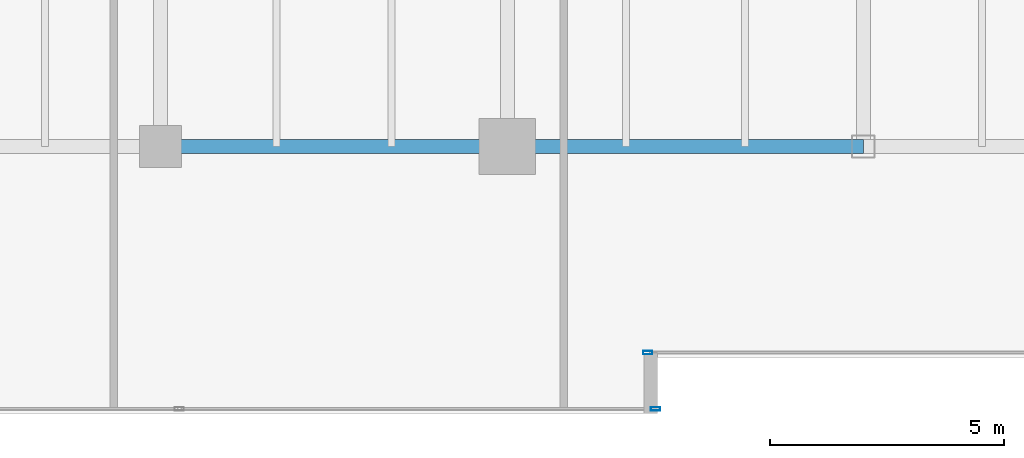
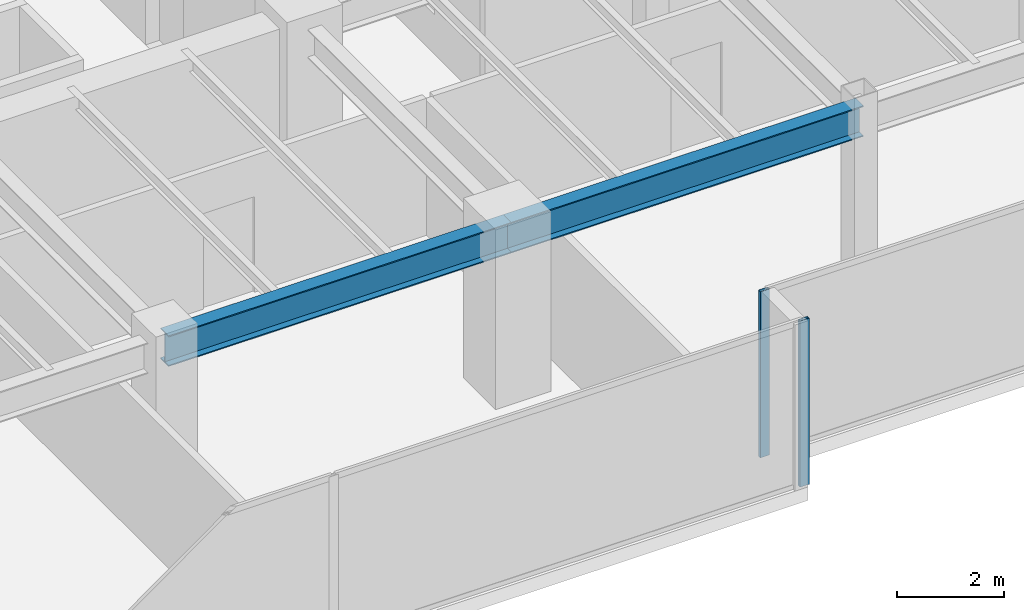
# One storey, part 4 of 30: 2 beams, 2 members, 2 elements without a shape of their own.
"""IFC4 building model written with IfcOpenShell, lengths in metres."""

from ifc_helpers import new_model, si_unit, direction, frame, origin, origin_2d, place, context, subcontext, project, spatial, hollow_rectangle, i_section, extrude, source, transform, mapped, material, layer, layer_set, material_profile, profile_set, type_object, type_shapes, element, aggregate, save


model = new_model("IFC4")

# Units and contexts
model_context = context("Model", 3, precision=1e-05, world=origin(), true_north=direction((0.0, 1.0)))
body_context = subcontext(model_context, "Body", "Model", "MODEL_VIEW")
ifc_project = project(units=[si_unit("LENGTHUNIT", "METRE"), si_unit("AREAUNIT", "SQUARE_METRE"), si_unit("VOLUMEUNIT", "CUBIC_METRE"), si_unit("PLANEANGLEUNIT", "RADIAN"), si_unit("MASSUNIT", "GRAM", prefix="KILO")], contexts=[model_context])

# Site, building, storey
site_placement = place(None, origin())
site = spatial("IfcSite", under=ifc_project, at=site_placement, CompositionType="ELEMENT")
building_placement = place(site_placement, origin())
building = spatial("IfcBuilding", under=site, at=building_placement, Name="Haelvirn Gate Laboratories", CompositionType="ELEMENT")
storey_placement = place(building_placement, frame((0.0, 0.0, 125.60009765625)))
storey = spatial("IfcBuildingStorey", under=building, at=storey_placement, Name="L30", CompositionType="ELEMENT", Elevation=125.60009765625)

# Beams
ifc_material_1 = material(Name="Steel SM355", Category="steel")
ifc_material_profile_1 = material_profile(ifc_material_1, i_section(OverallWidth=0.300048828125, OverallDepth=0.699951171875, WebThickness=0.012939453125, FlangeThickness=0.02392578125, at=origin_2d()), Name="H-700x300x13x24")
ifc_profile_set_1 = profile_set([ifc_material_profile_1], Name="Steel SM355")
beam_type = type_object("IfcBeamType", Name="BM-G-700", PredefinedType="BEAM", material=ifc_profile_set_1)
shared_shape_1 = source(origin(), body_context, "Body", "SweptSolid", [
    extrude(i_section(OverallWidth=0.300048828125, OverallDepth=0.699951171875, WebThickness=0.012939453125, FlangeThickness=0.02392578125, at=origin_2d()), origin(), (0.0, 0.0, 1.0), 7.39990234375),
])
beam_1_placement = place(storey_placement, frame((14.800048828125, 7.0, 3.43994140625), z_axis=(1.0, 0.0, 0.0), x_axis=(0.0, 1.0, 0.0)))
element("IfcBeam", 1, at=beam_1_placement, inside=storey, type_object=beam_type, Name="L30 Primary Girder Y7.0 (14.8-22.2)", PredefinedType="BEAM", context=body_context, shape_type="MappedRepresentation", body=[
    mapped(shared_shape_1, transform((0.0, 0.0, 0.0), scale=1.0)),
])
shared_shape_2 = source(origin(), body_context, "Body", "SweptSolid", [
    extrude(i_section(OverallWidth=0.300048828125, OverallDepth=0.699951171875, WebThickness=0.012939453125, FlangeThickness=0.02392578125, at=origin_2d()), origin(), (0.0, 0.0, 1.0), 7.60009765625),
])
type_shapes(beam_type, [shared_shape_1, shared_shape_2])
beam_2_placement = place(storey_placement, frame((22.199951171875, 7.0, 3.43994140625), z_axis=(1.0, 0.0, 0.0), x_axis=(0.0, 1.0, 0.0)))
element("IfcBeam", 2, at=beam_2_placement, inside=storey, type_object=beam_type, Name="L30 Primary Girder Y7.0 (22.2-29.8)", PredefinedType="BEAM", context=body_context, shape_type="MappedRepresentation", body=[
    mapped(shared_shape_2, transform((0.0, 0.0, 0.0), scale=1.0)),
])

# Curtain wall, member
ifc_material_2 = material(Name="Anodised bronze unitised aluminium & triple low-E glass", Category="aluminium")
ifc_layer = layer(ifc_material_2, 0.179931640625, Name="CW-SYS-3")
ifc_layer_set = layer_set([ifc_layer], Name="Anodised bronze unitised aluminium & triple low-E glass")
curtain_wall_type = type_object("IfcCurtainWallType", Name="CW-SYS-3", PredefinedType="NOTDEFINED", material=ifc_layer_set)
curtain_wall_1_placement = place(storey_placement, origin())
curtain_wall_1 = element("IfcCurtainWall", 3, at=curtain_wall_1_placement, inside=storey, type_object=curtain_wall_type, Name="L30 Unitised Curtain Wall CW-L30-P0-E00-1", PredefinedType="NOTDEFINED")
ifc_material_3 = material(Name="Extruded aluminium 6063-T6 (anodised bronze)", Category="aluminium")
ifc_material_profile_2 = material_profile(ifc_material_3, hollow_rectangle(XDim=0.074951171875, YDim=0.199951171875, WallThickness=0.0048828125, at=origin_2d()), Name="CWM-200x75x5")
ifc_profile_set_2 = profile_set([ifc_material_profile_2], Name="Extruded aluminium 6063-T6 (anodised bronze)")
member_type = type_object("IfcMemberType", Name="CWM-T200", PredefinedType="MULLION", material=ifc_profile_set_2)
shared_shape_3 = source(origin(), body_context, "Body", "SweptSolid", [
    extrude(hollow_rectangle(XDim=0.074951171875, YDim=0.199951171875, WallThickness=0.0048828125, at=origin_2d()), origin(), (0.0, 0.0, 1.0), 3.789794921875),
])
type_shapes(member_type, [shared_shape_3])
member_1_placement = place(storey_placement, frame((25.362548828125, 1.39990234375, 0.0), z_axis=(0.0, 0.0, 1.0), x_axis=(0.0, 1.0, 0.0)))
member_1 = element("IfcMember", 4, at=member_1_placement, type_object=member_type, Name="CW3 mullion 3", PredefinedType="MULLION", context=body_context, shape_type="MappedRepresentation", body=[
    mapped(shared_shape_3, transform((0.0, 0.0, 0.0), scale=1.0)),
])
aggregate(curtain_wall_1, [member_1])

curtain_wall_2_placement = place(storey_placement, origin())
curtain_wall_2 = element("IfcCurtainWall", 5, at=curtain_wall_2_placement, inside=storey, type_object=curtain_wall_type, Name="L30 Unitised Curtain Wall CW-L30-P0-E02-1", PredefinedType="NOTDEFINED")
member_2_placement = place(storey_placement, frame((25.197509765625, 2.60009765625, 0.0), z_axis=(0.0, 0.0, 1.0), x_axis=(0.0, 1.0, 0.0)))
member_2 = element("IfcMember", 6, at=member_2_placement, type_object=member_type, Name="CW3 mullion 1", PredefinedType="MULLION", context=body_context, shape_type="MappedRepresentation", body=[
    mapped(shared_shape_3, transform((0.0, 0.0, 0.0), scale=1.0)),
])
aggregate(curtain_wall_2, [member_2])

save(model, "model.ifc")
